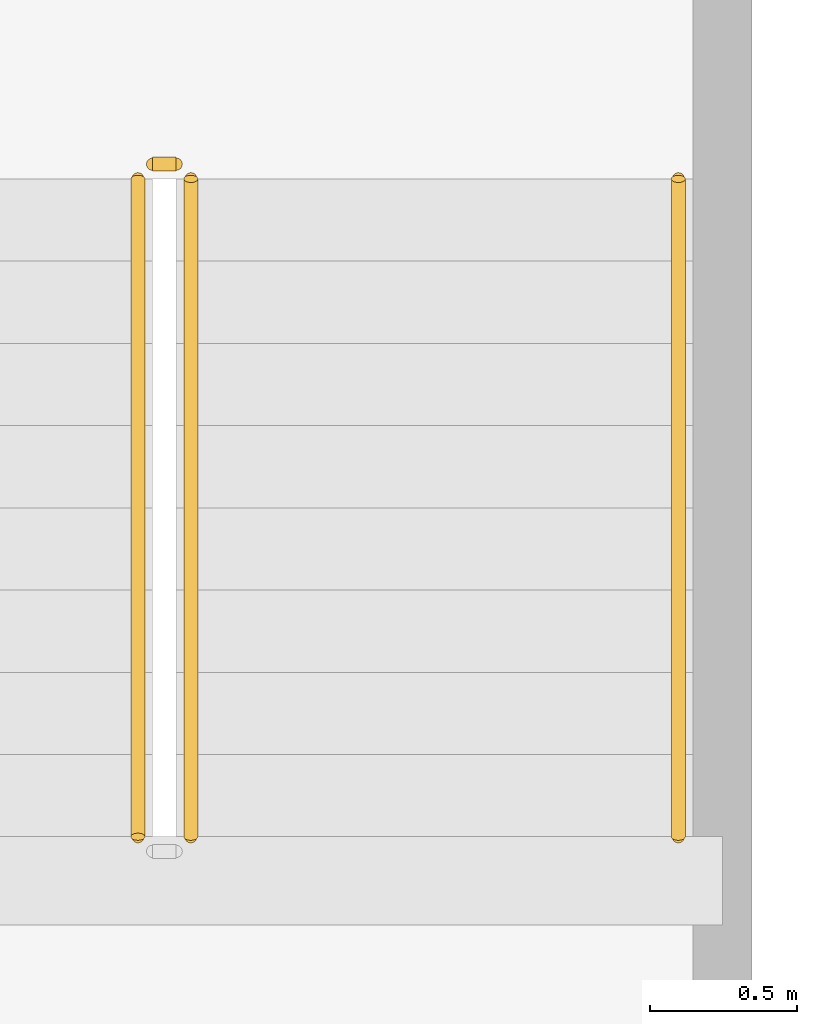
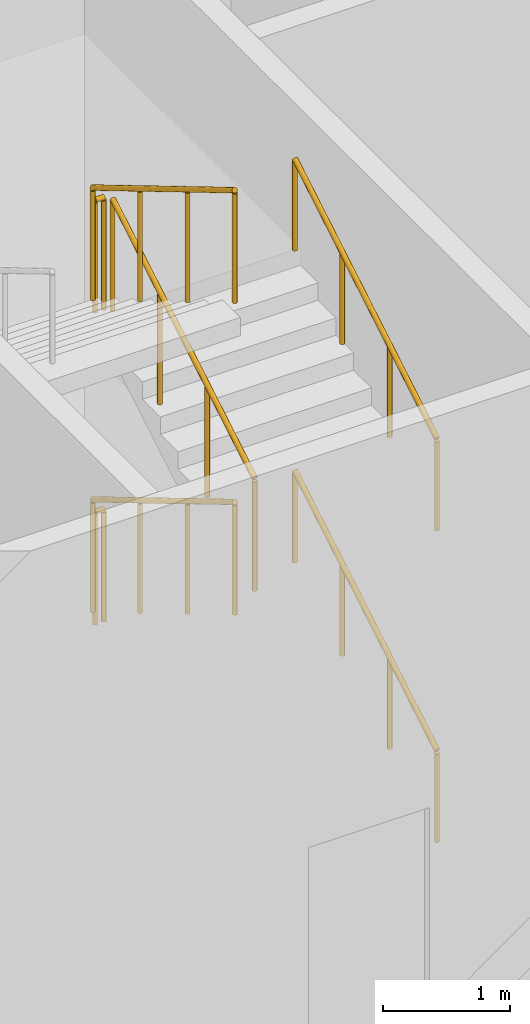
# One storey, part 31 of 33: 7 railings.
"""IFC4 building model written with IfcOpenShell, lengths in metres."""

from ifc_helpers import new_model, si_unit, direction, frame, origin, origin_2d, place, context, subcontext, project, spatial, circle, extrude, material, type_object, element, save


model = new_model("IFC4")

# Units and contexts
model_context = context("Model", 3, precision=1e-05, world=origin(), true_north=direction((0.0, 1.0)))
body_context = subcontext(model_context, "Body", "Model", "MODEL_VIEW")
ifc_project = project(units=[si_unit("LENGTHUNIT", "METRE"), si_unit("AREAUNIT", "SQUARE_METRE"), si_unit("VOLUMEUNIT", "CUBIC_METRE"), si_unit("PLANEANGLEUNIT", "RADIAN"), si_unit("MASSUNIT", "GRAM", prefix="KILO")], contexts=[model_context])

# Site, building, storey
site_placement = place(None, origin())
site = spatial("IfcSite", under=ifc_project, at=site_placement, CompositionType="ELEMENT")
building_placement = place(site_placement, origin())
building = spatial("IfcBuilding", under=site, at=building_placement, Name="Tarsis Ring Headquarters", CompositionType="ELEMENT")
storey_placement = place(building_placement, frame((0.0, 0.0, 302.0)))
storey = spatial("IfcBuildingStorey", under=building, at=storey_placement, Name="L71", CompositionType="ELEMENT", Elevation=302.0)

# Railings
ifc_material = material(Name="Steel S355", Category="steel")
railing_type_1 = type_object("IfcRailingType", Name="Core stair guard 1100", PredefinedType="GUARDRAIL", material=ifc_material)
railing_1_placement = place(storey_placement, frame((4.5400390625, 5.949951171875, 1.5)))
element("IfcRailing", 1, at=railing_1_placement, inside=storey, type_object=railing_type_1, Name="L71 ST2 stair guard 2", PredefinedType="GUARDRAIL", context=body_context, shape_type="SweptSolid", body=[
    extrude(circle(Radius=0.02392578125, at=origin_2d()), frame((0.0, 0.0, 1.076171875), z_axis=(-1.0, 0.0, 0.0), x_axis=(0.0, -1.0, 0.0)), (0.0, 0.0, 1.0), 0.080078125),
    extrude(circle(Radius=0.02099609375, at=origin_2d()), origin(), (0.0, 0.0, 1.0), 1.052001953125),
    extrude(circle(Radius=0.02099609375, at=origin_2d()), frame((-0.080078125, 0.0, 0.0)), (0.0, 0.0, 1.0), 1.052001953125),
])
railing_2_placement = place(storey_placement, frame((4.409912109375, 5.89990234375, 1.666748046875)))
element("IfcRailing", 2, at=railing_2_placement, inside=storey, type_object=railing_type_1, Name="L71 ST2 stair guard 3", PredefinedType="GUARDRAIL", context=body_context, shape_type="SweptSolid", body=[
    extrude(circle(Radius=0.02392578125, at=origin_2d()), frame((0.0, 0.0, 1.076171875), z_axis=(0.0, -0.859305625298, 0.511462454469), x_axis=(1.0, 0.0, 0.0)), (0.0, 0.0, 1.0), 2.606689453125),
    extrude(circle(Radius=0.02099609375, at=origin_2d()), origin(), (0.0, 0.0, 1.0), 1.052001953125),
    extrude(circle(Radius=0.02099609375, at=origin_2d()), frame((0.0, -0.74658203125, 0.4443359375)), (0.0, 0.0, 1.0), 1.052001953125),
    extrude(circle(Radius=0.02099609375, at=origin_2d()), frame((0.0, -1.493408203125, 0.888916015625)), (0.0, 0.0, 1.0), 1.052001953125),
    extrude(circle(Radius=0.02099609375, at=origin_2d()), frame((0.0, -2.239990234375, 1.333251953125)), (0.0, 0.0, 1.0), 1.052001953125),
])
railing_3_placement = place(storey_placement, frame((4.590087890625, 3.659912109375, 3.166748046875)))
element("IfcRailing", 3, at=railing_3_placement, inside=storey, type_object=railing_type_1, Name="L71 ST2 stair guard 5", PredefinedType="GUARDRAIL", context=body_context, shape_type="SweptSolid", body=[
    extrude(circle(Radius=0.02392578125, at=origin_2d()), frame((0.0, 0.0, 1.076171875), z_axis=(0.0, 0.859305625298, 0.511462454469), x_axis=(-1.0, 0.0, 0.0)), (0.0, 0.0, 1.0), 2.606689453125),
    extrude(circle(Radius=0.02099609375, at=origin_2d()), origin(), (0.0, 0.0, 1.0), 1.052001953125),
    extrude(circle(Radius=0.02099609375, at=origin_2d()), frame((0.0, 0.74658203125, 0.4443359375)), (0.0, 0.0, 1.0), 1.052001953125),
    extrude(circle(Radius=0.02099609375, at=origin_2d()), frame((0.0, 1.493408203125, 0.888916015625)), (0.0, 0.0, 1.0), 1.052001953125),
    extrude(circle(Radius=0.02099609375, at=origin_2d()), frame((0.0, 2.239990234375, 1.333251953125)), (0.0, 0.0, 1.0), 1.052001953125),
])
railing_4_placement = place(storey_placement, frame((4.5400390625, 5.949951171875, 4.5)))
element("IfcRailing", 4, at=railing_4_placement, inside=storey, type_object=railing_type_1, Name="L71 ST2 stair guard 6", PredefinedType="GUARDRAIL", context=body_context, shape_type="SweptSolid", body=[
    extrude(circle(Radius=0.02392578125, at=origin_2d()), frame((0.0, 0.0, 1.076171875), z_axis=(-1.0, 0.0, 0.0), x_axis=(0.0, -1.0, 0.0)), (0.0, 0.0, 1.0), 0.080078125),
    extrude(circle(Radius=0.02099609375, at=origin_2d()), origin(), (0.0, 0.0, 1.0), 1.052001953125),
    extrude(circle(Radius=0.02099609375, at=origin_2d()), frame((-0.080078125, 0.0, 0.0)), (0.0, 0.0, 1.0), 1.052001953125),
])
railing_5_placement = place(storey_placement, frame((4.409912109375, 5.89990234375, 4.666748046875)))
element("IfcRailing", 5, at=railing_5_placement, inside=storey, type_object=railing_type_1, Name="L71 ST2 stair guard 7", PredefinedType="GUARDRAIL", context=body_context, shape_type="SweptSolid", body=[
    extrude(circle(Radius=0.02392578125, at=origin_2d()), frame((0.0, 0.0, 1.076171875), z_axis=(0.0, -0.859305625298, 0.511462454469), x_axis=(1.0, 0.0, 0.0)), (0.0, 0.0, 1.0), 2.606689453125),
    extrude(circle(Radius=0.02099609375, at=origin_2d()), origin(), (0.0, 0.0, 1.0), 1.052001953125),
    extrude(circle(Radius=0.02099609375, at=origin_2d()), frame((0.0, -0.74658203125, 0.4443359375)), (0.0, 0.0, 1.0), 1.052001953125),
    extrude(circle(Radius=0.02099609375, at=origin_2d()), frame((0.0, -1.493408203125, 0.888916015625)), (0.0, 0.0, 1.0), 1.052001953125),
    extrude(circle(Radius=0.02099609375, at=origin_2d()), frame((0.0, -2.239990234375, 1.333251953125)), (0.0, 0.0, 1.0), 1.052001953125),
])
railing_type_2 = type_object("IfcRailingType", Name="Core stair handrail 900", PredefinedType="HANDRAIL", material=ifc_material)
for number, where, name in (
    (6, (6.25, 3.659912109375, 0.166748046875), "L71 ST2 stair handrail 1"),
    (7, (6.25, 3.659912109375, 3.166748046875), "L71 ST2 stair handrail 3"),
):
    element("IfcRailing", number, at=place(storey_placement, frame(where)), inside=storey, type_object=railing_type_2, Name=name, PredefinedType="HANDRAIL", context=body_context, shape_type="SweptSolid", body=[
        extrude(circle(Radius=0.02392578125, at=origin_2d()), frame((0.0, 0.0, 0.8759765625), z_axis=(0.0, 0.859305625298, 0.511462454469), x_axis=(-1.0, 0.0, 0.0)), (0.0, 0.0, 1.0), 2.606689453125),
        extrude(circle(Radius=0.02099609375, at=origin_2d()), origin(), (0.0, 0.0, 1.0), 0.851806640625),
        extrude(circle(Radius=0.02099609375, at=origin_2d()), frame((0.0, 0.74658203125, 0.4443359375)), (0.0, 0.0, 1.0), 0.851806640625),
        extrude(circle(Radius=0.02099609375, at=origin_2d()), frame((0.0, 1.493408203125, 0.888916015625)), (0.0, 0.0, 1.0), 0.851806640625),
        extrude(circle(Radius=0.02099609375, at=origin_2d()), frame((0.0, 2.239990234375, 1.333251953125)), (0.0, 0.0, 1.0), 0.851806640625),
    ])

save(model, "model.ifc")
